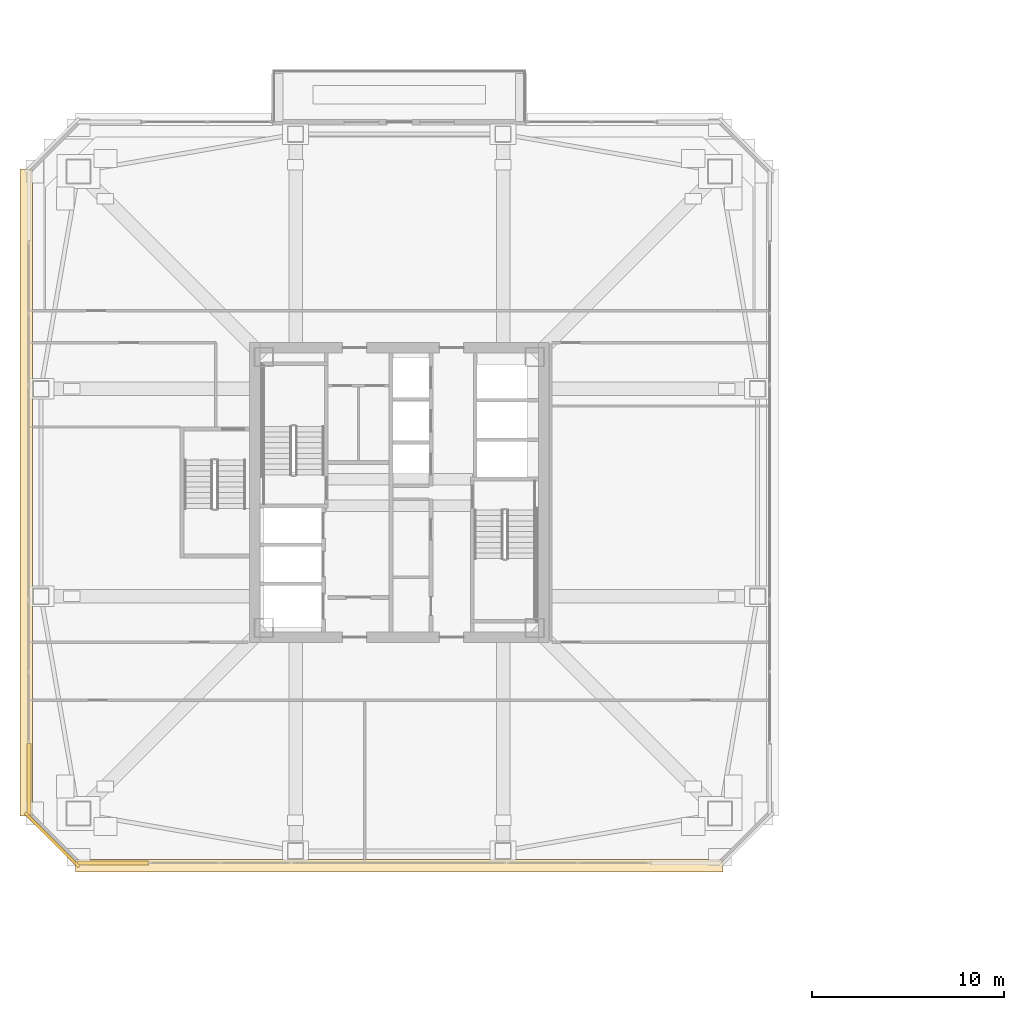
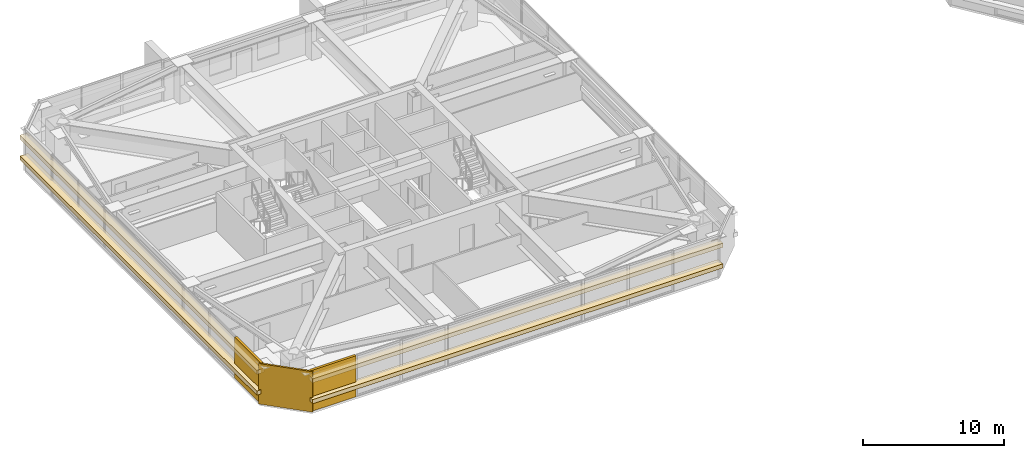
# One storey, part 37 of 42: 7 coverings.
"""IFC4 building model written with IfcOpenShell, lengths in metres."""

from ifc_helpers import new_model, si_unit, direction, frame, origin, origin_2d, place, context, subcontext, project, spatial, rectangle, extrude, material, layer, layer_set, type_object, element, save


model = new_model("IFC4")

# Units and contexts
model_context = context("Model", 3, precision=1e-05, world=origin(), true_north=direction((0.0, 1.0)))
body_context = subcontext(model_context, "Body", "Model", "MODEL_VIEW")
ifc_project = project(units=[si_unit("LENGTHUNIT", "METRE"), si_unit("AREAUNIT", "SQUARE_METRE"), si_unit("VOLUMEUNIT", "CUBIC_METRE"), si_unit("PLANEANGLEUNIT", "RADIAN"), si_unit("MASSUNIT", "GRAM", prefix="KILO")], contexts=[model_context])

# Site, building, storey
site_placement = place(None, origin())
site = spatial("IfcSite", under=ifc_project, at=site_placement, CompositionType="ELEMENT")
building_placement = place(site_placement, origin())
building = spatial("IfcBuilding", under=site, at=building_placement, Name="Tashvorn Skyway Center", CompositionType="ELEMENT")
storey_placement = place(building_placement, frame((0.0, 0.0, 153.449951171875)))
storey = spatial("IfcBuildingStorey", under=building, at=storey_placement, Name="L41", CompositionType="ELEMENT", Elevation=153.449951171875)

# Coverings
ifc_material_1 = material(Name="Precast concrete C40/50", Category="concrete")
ifc_layer_1 = layer(ifc_material_1, 0.199951171875)
ifc_layer_set_1 = layer_set([ifc_layer_1], Name="Precast concrete C40/50")
covering_type_1 = type_object("IfcCoveringType", Name="COV-BRACE-CLAD", PredefinedType="CLADDING", material=ifc_layer_set_1)
for number, where, z_axis, x_axis, name in (
    (1, (27.08447265625, 12.719970703125, 0.0), (0.0, 0.0, 1.0), (-1.0, 0.0, 0.0), "Tower 1 L41 South Unitised Curtain Wall Mega-Brace Cladding Band 2"),
    (2, (22.719970703125, 17.08447265625, 0.0), (0.0, 0.0, 1.0), (0.0, 1.0, 0.0), "Tower 1 L41 West Unitised Curtain Wall Mega-Brace Cladding Band 1"),
):
    element("IfcCovering", number, at=place(storey_placement, frame(where, z_axis=z_axis, x_axis=x_axis)), inside=storey, type_object=covering_type_1, Name=name, PredefinedType="CLADDING", context=body_context, shape_type="SweptSolid", body=[
        extrude(rectangle(XDim=3.72900390625, YDim=0.199951171875, at=origin_2d()), origin(), (0.0, 0.0, 1.0), 3.550048828125),
    ])
ifc_material_2 = material(Name="Perforated ceramic-coated bronze aluminium solar screen", Category="aluminium")
ifc_layer_2 = layer(ifc_material_2, 0.85009765625)
ifc_layer_set_2 = layer_set([ifc_layer_2], Name="Perforated ceramic-coated bronze aluminium solar screen")
covering_type_2 = type_object("IfcCoveringType", Name="COV-SOLAR-BAND", PredefinedType="CLADDING", material=ifc_layer_set_2)
for number, where, z_axis, x_axis, name in (
    (3, (42.0, 12.580078125, 0.919921875), (0.0, 0.0, 1.0), (-1.0, 0.0, 0.0), "L41 Perforated Ceramic-Metal Solar Screen Louvre Band South 1"),
    (4, (42.0, 12.580078125, 2.72021484375), (0.0, 0.0, 1.0), (-1.0, 0.0, 0.0), "L41 Perforated Ceramic-Metal Solar Screen Louvre Band South 2"),
    (5, (22.580078125, 32.0, 0.919921875), (0.0, 0.0, 1.0), (0.0, 1.0, 0.0), "L41 Perforated Ceramic-Metal Solar Screen Louvre Band West 1"),
    (6, (22.580078125, 32.0, 2.72021484375), (0.0, 0.0, 1.0), (0.0, 1.0, 0.0), "L41 Perforated Ceramic-Metal Solar Screen Louvre Band West 2"),
):
    element("IfcCovering", number, at=place(storey_placement, frame(where, z_axis=z_axis, x_axis=x_axis)), inside=storey, type_object=covering_type_2, Name=name, PredefinedType="CLADDING", context=body_context, shape_type="SweptSolid", body=[
        extrude(rectangle(XDim=33.679931640625, YDim=0.639892578125, at=origin_2d()), origin(), (0.0, 0.0, 1.0), 0.360107421875),
    ])
ifc_layer_3 = layer(ifc_material_1, 0.35009765625)
ifc_layer_set_3 = layer_set([ifc_layer_3], Name="Precast concrete C40/50")
covering_type_3 = type_object("IfcCoveringType", Name="COV-STONE-TRIM", PredefinedType="CLADDING", material=ifc_layer_set_3)
covering_placement = place(storey_placement, frame((23.929931640625, 13.929931640625, 0.02001953125), z_axis=(0.0, 0.0, 1.0), x_axis=(-0.707106781187, 0.707106781187, 0.0)))
element("IfcCovering", 7, at=covering_placement, inside=storey, type_object=covering_type_3, Name="Tower 1 L41 SW Mojave Limestone Corner Quoin", PredefinedType="CLADDING", context=body_context, shape_type="SweptSolid", body=[
    extrude(rectangle(XDim=3.978515625, YDim=0.139892578125, at=origin_2d()), origin(), (0.0, 0.0, 1.0), 3.510009765625),
])

save(model, "model.ifc")
